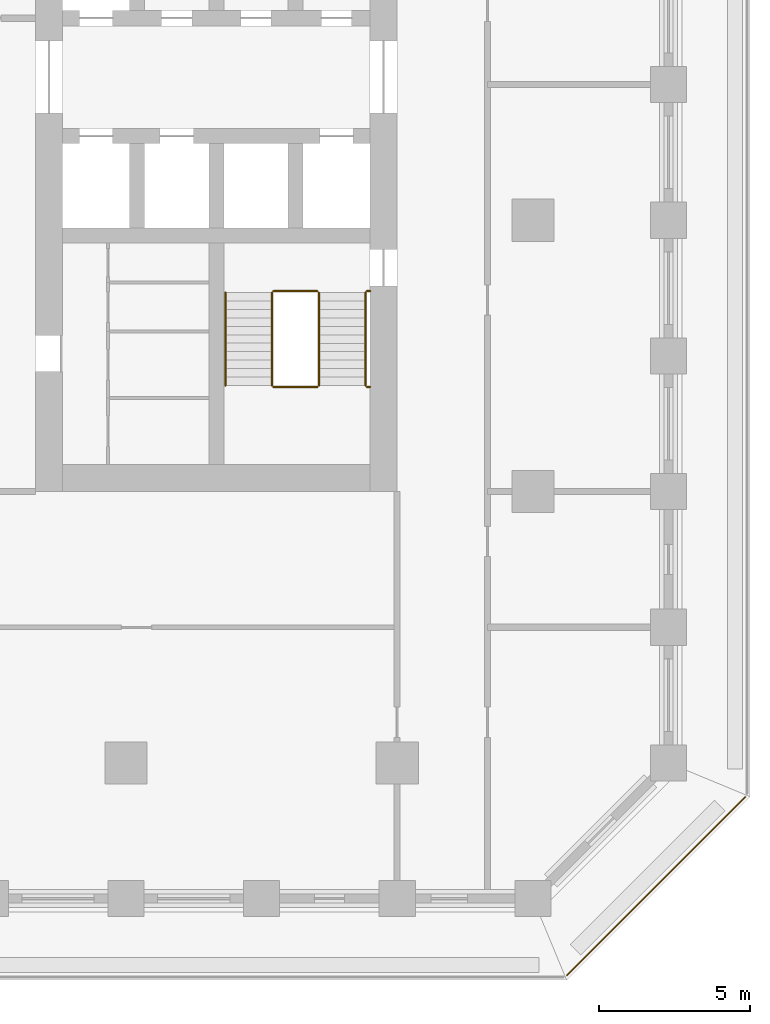
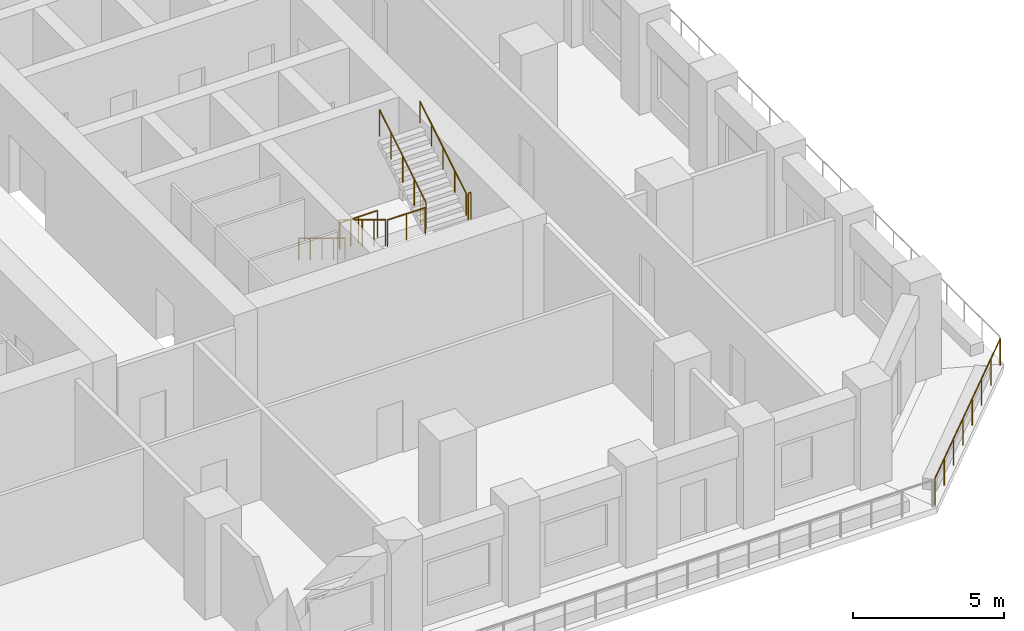
# One storey, part 12 of 17: 9 railings.
"""IFC4 building model written with IfcOpenShell, lengths in metres."""

from ifc_helpers import new_model, si_unit, direction, frame, origin, origin_2d, place, context, subcontext, project, spatial, circle, extrude, material, type_object, element, save


model = new_model("IFC4")

# Units and contexts
model_context = context("Model", 3, precision=1e-05, world=origin(), true_north=direction((0.0, 1.0)))
body_context = subcontext(model_context, "Body", "Model", "MODEL_VIEW")
ifc_project = project(units=[si_unit("LENGTHUNIT", "METRE"), si_unit("AREAUNIT", "SQUARE_METRE"), si_unit("VOLUMEUNIT", "CUBIC_METRE"), si_unit("PLANEANGLEUNIT", "RADIAN"), si_unit("MASSUNIT", "GRAM", prefix="KILO")], contexts=[model_context])

# Site, building, storey
site_placement = place(None, origin())
site = spatial("IfcSite", under=ifc_project, at=site_placement, CompositionType="ELEMENT")
building_placement = place(site_placement, origin())
building = spatial("IfcBuilding", under=site, at=building_placement, Name="Corbel Stack Research Tower", CompositionType="ELEMENT")
storey_placement = place(building_placement, frame((0.0, 0.0, 129.0)))
storey = spatial("IfcBuildingStorey", under=building, at=storey_placement, Name="L29", CompositionType="ELEMENT", Elevation=129.0)

# Railings
ifc_material_1 = material(Name="Steel S355", Category="steel")
railing_type_1 = type_object("IfcRailingType", Name="Stair guard 1100", PredefinedType="GUARDRAIL", material=ifc_material_1)
railing_1_placement = place(storey_placement, frame((13.85009765625, -2.39990234375, 0.1708984375)))
element("IfcRailing", 1, at=railing_1_placement, inside=storey, type_object=railing_type_1, Name="L29 ST-E1 stair guard 1", PredefinedType="GUARDRAIL", context=body_context, shape_type="SweptSolid", body=[
    extrude(circle(Radius=0.02392578125, at=origin_2d()), frame((0.0, 0.0, 1.076171875), z_axis=(0.0, -0.853666305674, 0.52082035152), x_axis=(1.0, 0.0, 0.0)), (0.0, 0.0, 1.0), 3.608154296875),
    extrude(circle(Radius=0.02099609375, at=origin_2d()), origin(), (0.0, 0.0, 1.0), 1.052001953125),
    extrude(circle(Radius=0.02099609375, at=origin_2d()), frame((0.0, -0.77001953125, 0.4697265625)), (0.0, 0.0, 1.0), 1.052001953125),
    extrude(circle(Radius=0.02099609375, at=origin_2d()), frame((0.0, -1.5400390625, 0.939453125)), (0.0, 0.0, 1.0), 1.052001953125),
    extrude(circle(Radius=0.02099609375, at=origin_2d()), frame((0.0, -2.31005859375, 1.409423828125)), (0.0, 0.0, 1.0), 1.052001953125),
    extrude(circle(Radius=0.02099609375, at=origin_2d()), frame((0.0, -3.080078125, 1.879150390625)), (0.0, 0.0, 1.0), 1.052001953125),
])
railing_2_placement = place(storey_placement, frame((13.89990234375, -5.530029296875, 2.050048828125)))
element("IfcRailing", 2, at=railing_2_placement, inside=storey, type_object=railing_type_1, Name="L29 ST-E1 stair guard 2", PredefinedType="GUARDRAIL", context=body_context, shape_type="SweptSolid", body=[
    extrude(circle(Radius=0.02392578125, at=origin_2d()), frame((0.0, 0.0, 1.076171875), z_axis=(1.0, 0.0, 0.0), x_axis=(0.0, 1.0, 0.0)), (0.0, 0.0, 1.0), 1.4501953125),
    extrude(circle(Radius=0.02099609375, at=origin_2d()), origin(), (0.0, 0.0, 1.0), 1.052001953125),
    extrude(circle(Radius=0.02099609375, at=origin_2d()), frame((0.72509765625, 0.0, 0.0)), (0.0, 0.0, 1.0), 1.052001953125),
    extrude(circle(Radius=0.02099609375, at=origin_2d()), frame((1.4501953125, 0.0, 0.0)), (0.0, 0.0, 1.0), 1.052001953125),
])
railing_3_placement = place(storey_placement, frame((17.0, -5.530029296875, 2.050048828125)))
element("IfcRailing", 3, at=railing_3_placement, inside=storey, type_object=railing_type_1, Name="L29 ST-E1 stair guard 3", PredefinedType="GUARDRAIL", context=body_context, shape_type="SweptSolid", body=[
    extrude(circle(Radius=0.02392578125, at=origin_2d()), frame((0.0, 0.0, 1.076171875), z_axis=(1.0, 0.0, 0.0), x_axis=(0.0, 1.0, 0.0)), (0.0, 0.0, 1.0), 0.10009765625),
    extrude(circle(Radius=0.02099609375, at=origin_2d()), origin(), (0.0, 0.0, 1.0), 1.052001953125),
    extrude(circle(Radius=0.02099609375, at=origin_2d()), frame((0.10009765625, 0.0, 0.0)), (0.0, 0.0, 1.0), 1.052001953125),
])
railing_4_placement = place(storey_placement, frame((15.39990234375, -5.47998046875, 2.220947265625)))
element("IfcRailing", 4, at=railing_4_placement, inside=storey, type_object=railing_type_1, Name="L29 ST-E1 stair guard 4", PredefinedType="GUARDRAIL", context=body_context, shape_type="SweptSolid", body=[
    extrude(circle(Radius=0.02392578125, at=origin_2d()), frame((0.0, 0.0, 1.076171875), z_axis=(0.0, 0.853666305674, 0.52082035152), x_axis=(-1.0, 0.0, 0.0)), (0.0, 0.0, 1.0), 3.608154296875),
    extrude(circle(Radius=0.02099609375, at=origin_2d()), origin(), (0.0, 0.0, 1.0), 1.052001953125),
    extrude(circle(Radius=0.02099609375, at=origin_2d()), frame((0.0, 0.77001953125, 0.4697265625)), (0.0, 0.0, 1.0), 1.052001953125),
    extrude(circle(Radius=0.02099609375, at=origin_2d()), frame((0.0, 1.5400390625, 0.939453125)), (0.0, 0.0, 1.0), 1.052001953125),
    extrude(circle(Radius=0.02099609375, at=origin_2d()), frame((0.0, 2.31005859375, 1.409423828125)), (0.0, 0.0, 1.0), 1.052001953125),
    extrude(circle(Radius=0.02099609375, at=origin_2d()), frame((0.0, 3.080078125, 1.879150390625)), (0.0, 0.0, 1.0), 1.052001953125),
])
railing_5_placement = place(storey_placement, frame((13.89990234375, -2.35009765625, 0.0)))
element("IfcRailing", 5, at=railing_5_placement, inside=storey, type_object=railing_type_1, Name="L29 ST-E1 stair guard 5", PredefinedType="GUARDRAIL", context=body_context, shape_type="SweptSolid", body=[
    extrude(circle(Radius=0.02392578125, at=origin_2d()), frame((0.0, 0.0, 1.076171875), z_axis=(1.0, 0.0, 0.0), x_axis=(0.0, 1.0, 0.0)), (0.0, 0.0, 1.0), 1.4501953125),
    extrude(circle(Radius=0.02099609375, at=origin_2d()), origin(), (0.0, 0.0, 1.0), 1.052001953125),
    extrude(circle(Radius=0.02099609375, at=origin_2d()), frame((0.72509765625, 0.0, 0.0)), (0.0, 0.0, 1.0), 1.052001953125),
    extrude(circle(Radius=0.02099609375, at=origin_2d()), frame((1.4501953125, 0.0, 0.0)), (0.0, 0.0, 1.0), 1.052001953125),
])
railing_6_placement = place(storey_placement, frame((17.0, -2.35009765625, 0.0)))
element("IfcRailing", 6, at=railing_6_placement, inside=storey, type_object=railing_type_1, Name="L29 ST-E1 stair guard 6", PredefinedType="GUARDRAIL", context=body_context, shape_type="SweptSolid", body=[
    extrude(circle(Radius=0.02392578125, at=origin_2d()), frame((0.0, 0.0, 1.076171875), z_axis=(1.0, 0.0, 0.0), x_axis=(0.0, 1.0, 0.0)), (0.0, 0.0, 1.0), 0.10009765625),
    extrude(circle(Radius=0.02099609375, at=origin_2d()), origin(), (0.0, 0.0, 1.0), 1.052001953125),
    extrude(circle(Radius=0.02099609375, at=origin_2d()), frame((0.10009765625, 0.0, 0.0)), (0.0, 0.0, 1.0), 1.052001953125),
])
ifc_material_2 = material(Name="Steel S355", Category="steel")
railing_type_2 = type_object("IfcRailingType", Name="Stair handrail 900", PredefinedType="HANDRAIL", material=ifc_material_2)
railing_7_placement = place(storey_placement, frame((12.300048828125, -2.39990234375, 0.1708984375)))
element("IfcRailing", 7, at=railing_7_placement, inside=storey, type_object=railing_type_2, Name="L29 ST-E1 stair handrail 1", PredefinedType="HANDRAIL", context=body_context, shape_type="SweptSolid", body=[
    extrude(circle(Radius=0.02392578125, at=origin_2d()), frame((0.0, 0.0, 0.8759765625), z_axis=(0.0, -0.853666305674, 0.52082035152), x_axis=(1.0, 0.0, 0.0)), (0.0, 0.0, 1.0), 3.608154296875),
    extrude(circle(Radius=0.02099609375, at=origin_2d()), origin(), (0.0, 0.0, 1.0), 0.851806640625),
    extrude(circle(Radius=0.02099609375, at=origin_2d()), frame((0.0, -0.77001953125, 0.4697265625)), (0.0, 0.0, 1.0), 0.851806640625),
    extrude(circle(Radius=0.02099609375, at=origin_2d()), frame((0.0, -1.5400390625, 0.939453125)), (0.0, 0.0, 1.0), 0.851806640625),
    extrude(circle(Radius=0.02099609375, at=origin_2d()), frame((0.0, -2.31005859375, 1.409423828125)), (0.0, 0.0, 1.0), 0.851806640625),
    extrude(circle(Radius=0.02099609375, at=origin_2d()), frame((0.0, -3.080078125, 1.879150390625)), (0.0, 0.0, 1.0), 0.851806640625),
])
railing_8_placement = place(storey_placement, frame((16.949951171875, -5.47998046875, 2.220947265625)))
element("IfcRailing", 8, at=railing_8_placement, inside=storey, type_object=railing_type_2, Name="L29 ST-E1 stair handrail 2", PredefinedType="HANDRAIL", context=body_context, shape_type="SweptSolid", body=[
    extrude(circle(Radius=0.02392578125, at=origin_2d()), frame((0.0, 0.0, 0.8759765625), z_axis=(0.0, 0.853666305674, 0.52082035152), x_axis=(-1.0, 0.0, 0.0)), (0.0, 0.0, 1.0), 3.608154296875),
    extrude(circle(Radius=0.02099609375, at=origin_2d()), origin(), (0.0, 0.0, 1.0), 0.851806640625),
    extrude(circle(Radius=0.02099609375, at=origin_2d()), frame((0.0, 0.77001953125, 0.4697265625)), (0.0, 0.0, 1.0), 0.851806640625),
    extrude(circle(Radius=0.02099609375, at=origin_2d()), frame((0.0, 1.5400390625, 0.939453125)), (0.0, 0.0, 1.0), 0.851806640625),
    extrude(circle(Radius=0.02099609375, at=origin_2d()), frame((0.0, 2.31005859375, 1.409423828125)), (0.0, 0.0, 1.0), 0.851806640625),
    extrude(circle(Radius=0.02099609375, at=origin_2d()), frame((0.0, 3.080078125, 1.879150390625)), (0.0, 0.0, 1.0), 0.851806640625),
])
ifc_material_3 = material(Name="Powder-coated steel guard", Category="steel")
railing_type_3 = type_object("IfcRailingType", Name="Steel and glass guard 1100", PredefinedType="GUARDRAIL", material=ifc_material_3)
railing_9_placement = place(storey_placement, frame((23.627685546875, -25.04931640625, 0.0)))
element("IfcRailing", 9, at=railing_9_placement, inside=storey, type_object=railing_type_3, Name="Loggia guard L29 SE", PredefinedType="GUARDRAIL", context=body_context, shape_type="SweptSolid", body=[
    extrude(circle(Radius=0.02392578125, at=origin_2d()), frame((0.0, 0.0, 1.076171875), z_axis=(0.707106781187, 0.707106781187, 0.0), x_axis=(-0.707106781187, 0.707106781187, 0.0)), (0.0, 0.0, 1.0), 8.37451171875),
    extrude(circle(Radius=0.02099609375, at=origin_2d()), origin(), (0.0, 0.0, 1.0), 1.052001953125),
    extrude(circle(Radius=0.02099609375, at=origin_2d()), frame((0.845947265625, 0.845947265625, 0.0)), (0.0, 0.0, 1.0), 1.052001953125),
    extrude(circle(Radius=0.02099609375, at=origin_2d()), frame((1.69189453125, 1.69189453125, 0.0)), (0.0, 0.0, 1.0), 1.052001953125),
    extrude(circle(Radius=0.02099609375, at=origin_2d()), frame((2.537841796875, 2.537841796875, 0.0)), (0.0, 0.0, 1.0), 1.052001953125),
    extrude(circle(Radius=0.02099609375, at=origin_2d()), frame((3.3837890625, 3.3837890625, 0.0)), (0.0, 0.0, 1.0), 1.052001953125),
    extrude(circle(Radius=0.02099609375, at=origin_2d()), frame((4.229736328125, 4.229736328125, 0.0)), (0.0, 0.0, 1.0), 1.052001953125),
    extrude(circle(Radius=0.02099609375, at=origin_2d()), frame((5.07568359375, 5.07568359375, 0.0)), (0.0, 0.0, 1.0), 1.052001953125),
    extrude(circle(Radius=0.02099609375, at=origin_2d()), frame((5.921630859375, 5.921630859375, 0.0)), (0.0, 0.0, 1.0), 1.052001953125),
])

save(model, "model.ifc")
